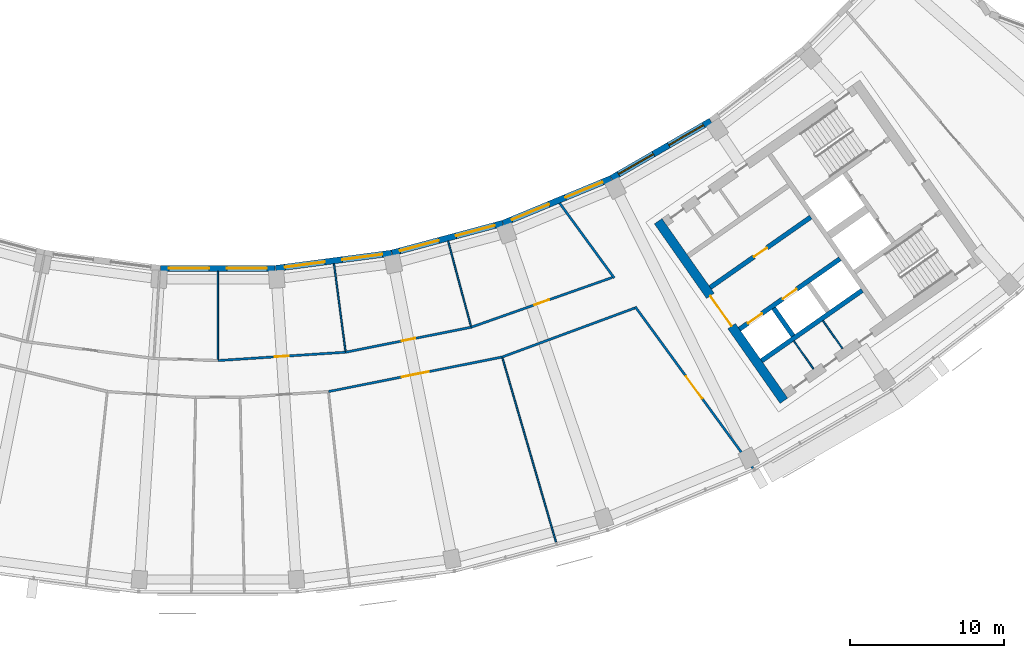
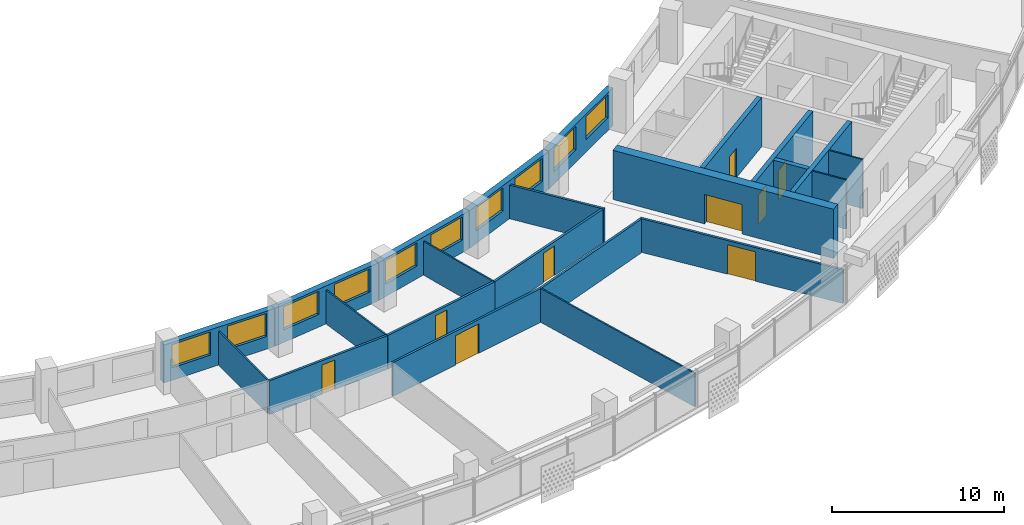
# One storey, part 6 of 28: 23 walls, 10 windows, 9 doors, 19 openings.
"""IFC4 building model written with IfcOpenShell, lengths in metres."""

from ifc_helpers import new_model, si_unit, direction, frame, frame_2d, origin, place, context, subcontext, project, spatial, rectangle, extrude, material, layer, layer_set, type_object, element, fill, save


model = new_model("IFC4")

# Units and contexts
model_context = context("Model", 3, precision=1e-05, world=origin(), true_north=direction((0.0, 1.0)))
body_context = subcontext(model_context, "Body", "Model", "MODEL_VIEW")
ifc_project = project(units=[si_unit("LENGTHUNIT", "METRE"), si_unit("AREAUNIT", "SQUARE_METRE"), si_unit("VOLUMEUNIT", "CUBIC_METRE"), si_unit("PLANEANGLEUNIT", "RADIAN"), si_unit("MASSUNIT", "GRAM", prefix="KILO")], contexts=[model_context])

# Site, building, storey
site_placement = place(None, origin())
site = spatial("IfcSite", under=ifc_project, at=site_placement, CompositionType="ELEMENT")
building_placement = place(site_placement, origin())
building = spatial("IfcBuilding", under=site, at=building_placement, Name="Qamariyya Broadcast Tower", CompositionType="ELEMENT")
storey_placement = place(building_placement, frame((0.0, 0.0, 230.300048828125)))
storey = spatial("IfcBuildingStorey", under=building, at=storey_placement, Name="L55", CompositionType="ELEMENT", Elevation=230.300048828125)

# Wall, opening, door
ifc_material_1 = material(Name="Concrete C60/75", Category="concrete")
ifc_layer_1 = layer(ifc_material_1, 0.60009765625)
ifc_layer_set_1 = layer_set([ifc_layer_1], Name="Core wall 600 mm Concrete C60/75")
wall_type_1 = type_object("IfcWallType", Name="Core wall 600 mm Concrete C60/75", PredefinedType="SHEAR", material=ifc_layer_set_1)
wall_1_placement = place(storey_placement, frame((36.66748046875, -66.005126953125, 0.0), z_axis=(0.0, 0.0, 1.0), x_axis=(-0.573568499524, 0.819157601658, 0.0)))
wall_1 = element("IfcWall", 1, at=wall_1_placement, inside=storey, type_object=wall_type_1, Name="k-E-L55-WA", PredefinedType="SHEAR", context=body_context, shape_type="SweptSolid", body=[
    extrude(rectangle(XDim=14.19970703125, YDim=0.60009765625, at=frame_2d((7.099853515625, 0.0))), origin(), (0.0, 0.0, 1.0), 3.5),
])
opening_1_placement = place(wall_1_placement, frame((5.89990234375, 0.0, 0.0)))
opening_1 = element("IfcOpeningElement", 2, at=opening_1_placement, cuts=wall_1, Name="Opening KD3-E1", PredefinedType="OPENING", context=body_context, shape_type="SweptSolid", body=[
    extrude(rectangle(XDim=2.39990234375, YDim=2.10009765625, at=frame_2d((1.199951171875, 1.050048828125))), frame((0.0, 0.31005859375, 0.0), z_axis=(0.0, -1.0, 0.0), x_axis=(1.0, 0.0, 0.0)), (0.0, 0.0, 1.0), 0.6201171875),
])
ifc_material_2 = material(Name="Steel fire-resisting door leaf", Category="steel")
door_type_1 = type_object("IfcDoorType", Name="Lift lobby door KD3", OperationType="DOUBLE_DOOR_SINGLE_SWING", PredefinedType="DOOR", material=ifc_material_2)
door_1_placement = place(opening_1_placement, origin())
door_1 = element("IfcDoor", 3, at=door_1_placement, inside=storey, type_object=door_type_1, Name="k-E-L55-WA-D1", OperationType="DOUBLE_DOOR_SINGLE_SWING", OverallHeight=2.10009765625, OverallWidth=2.39990234375, PredefinedType="DOOR", context=body_context, shape_type="SweptSolid", body=[
    extrude(rectangle(XDim=2.39990234375, YDim=2.10009765625, at=frame_2d((1.199951171875, 1.050048828125))), frame((0.0, 0.02490234375, 0.0), z_axis=(0.0, -1.0, 0.0), x_axis=(1.0, 0.0, 0.0)), (0.0, 0.0, 1.0), 0.050048828125),
])
fill(opening_1, door_1)

ifc_material_3 = material(Name="Gypsum board partition")
ifc_layer_2 = layer(ifc_material_3, 0.14990234375)
ifc_layer_set_2 = layer_set([ifc_layer_2], Name="Corridor partition 150 EI 60")
wall_type_2 = type_object("IfcWallType", Name="Corridor partition 150 EI 60", PredefinedType="PARTITIONING", material=ifc_layer_set_2)
wall_2_placement = place(storey_placement, frame((0.0, -63.39990234375, 0.0), z_axis=(0.0, 0.0, 1.0), x_axis=(0.997860193426, 0.065383747038, 0.0)))
wall_2 = element("IfcWall", 4, at=wall_2_placement, inside=storey, type_object=wall_type_2, Name="Partition L55-018", PredefinedType="PARTITIONING", context=body_context, shape_type="SweptSolid", body=[
    extrude(rectangle(XDim=8.293212890625, YDim=0.14990234375, at=frame_2d((4.146484375, 0.0))), origin(), (0.0, 0.0, 1.0), 2.39990234375),
])
opening_2_placement = place(wall_2_placement, frame((3.696533203125, 0.0, 0.0)))
opening_2 = element("IfcOpeningElement", 5, at=opening_2_placement, cuts=wall_2, Name="Opening L55-D12", PredefinedType="OPENING", context=body_context, shape_type="SweptSolid", body=[
    extrude(rectangle(XDim=0.89990234375, YDim=2.10009765625, at=frame_2d((0.449951171875, 1.050048828125))), frame((0.0, 0.0849609375, 0.0), z_axis=(0.0, -1.0, 0.0), x_axis=(1.0, 0.0, 0.0)), (0.0, 0.0, 1.0), 0.169921875),
])
ifc_material_4 = material(Name="Timber fire door leaf", Category="wood")
door_type_2 = type_object("IfcDoorType", Name="Fire door 900 x 2100 FD60", OperationType="NOTDEFINED", PredefinedType="DOOR", material=ifc_material_4)
door_2_placement = place(opening_2_placement, origin())
door_2 = element("IfcDoor", 6, at=door_2_placement, inside=storey, type_object=door_type_2, Name="Door L55-D12", OperationType="SINGLE_SWING_RIGHT", OverallHeight=2.10009765625, OverallWidth=0.89990234375, PredefinedType="DOOR", context=body_context, shape_type="SweptSolid", body=[
    extrude(rectangle(XDim=0.89990234375, YDim=2.10009765625, at=frame_2d((0.449951171875, 1.050048828125))), frame((0.0, 0.02490234375, 0.0), z_axis=(0.0, -1.0, 0.0), x_axis=(1.0, 0.0, 0.0)), (0.0, 0.0, 1.0), 0.050048828125),
])
fill(opening_2, door_2)

wall_3_placement = place(storey_placement, frame((18.41455078125, -63.170654296875, 0.0), z_axis=(0.0, 0.0, 1.0), x_axis=(-0.980782303344, -0.195105288106, 0.0)))
wall_3 = element("IfcWall", 7, at=wall_3_placement, inside=storey, type_object=wall_type_2, Name="Partition L55-022", PredefinedType="PARTITIONING", context=body_context, shape_type="SweptSolid", body=[
    extrude(rectangle(XDim=11.473388671875, YDim=0.14990234375, at=frame_2d((5.73681640625, 0.0))), origin(), (0.0, 0.0, 1.0), 2.39990234375),
])
opening_3_placement = place(wall_3_placement, frame((4.836669921875, 0.0, 0.0)))
opening_3 = element("IfcOpeningElement", 8, at=opening_3_placement, cuts=wall_3, Name="Opening L55-D06", PredefinedType="OPENING", context=body_context, shape_type="SweptSolid", body=[
    extrude(rectangle(XDim=1.800048828125, YDim=2.10009765625, at=frame_2d((0.89990234375, 1.050048828125))), frame((0.0, 0.0849609375, 0.0), z_axis=(0.0, -1.0, 0.0), x_axis=(1.0, 0.0, 0.0)), (0.0, 0.0, 1.0), 0.169921875),
])
door_type_3 = type_object("IfcDoorType", Name="Double fire door 1800 x 2100 FD60", OperationType="NOTDEFINED", PredefinedType="DOOR", material=ifc_material_4)
door_3_placement = place(opening_3_placement, origin())
door_3 = element("IfcDoor", 9, at=door_3_placement, inside=storey, type_object=door_type_3, Name="Door L55-D06", OperationType="DOUBLE_DOOR_SINGLE_SWING", OverallHeight=2.10009765625, OverallWidth=1.800048828125, PredefinedType="DOOR", context=body_context, shape_type="SweptSolid", body=[
    extrude(rectangle(XDim=1.800048828125, YDim=2.10009765625, at=frame_2d((0.89990234375, 1.050048828125))), frame((0.0, 0.02490234375, 0.0), z_axis=(0.0, -1.0, 0.0), x_axis=(1.0, 0.0, 0.0)), (0.0, 0.0, 1.0), 0.050048828125),
])
fill(opening_3, door_3)

wall_4_placement = place(storey_placement, frame((8.275390625, -62.857666015625, 0.0), z_axis=(0.0, 0.0, 1.0), x_axis=(0.98078508005, 0.195091329256, 0.0)))
wall_4 = element("IfcWall", 10, at=wall_4_placement, inside=storey, type_object=wall_type_2, Name="Partition L55-024", PredefinedType="PARTITIONING", context=body_context, shape_type="SweptSolid", body=[
    extrude(rectangle(XDim=8.293212890625, YDim=0.14990234375, at=frame_2d((4.146484375, 0.0))), origin(), (0.0, 0.0, 1.0), 2.39990234375),
])
opening_4_placement = place(wall_4_placement, frame((3.696533203125, 0.0, 0.0)))
opening_4 = element("IfcOpeningElement", 11, at=opening_4_placement, cuts=wall_4, Name="Opening L55-D13", PredefinedType="OPENING", context=body_context, shape_type="SweptSolid", body=[
    extrude(rectangle(XDim=0.89990234375, YDim=2.10009765625, at=frame_2d((0.449951171875, 1.050048828125))), frame((0.0, 0.0849609375, 0.0), z_axis=(0.0, -1.0, 0.0), x_axis=(1.0, 0.0, 0.0)), (0.0, 0.0, 1.0), 0.169921875),
])
door_4_placement = place(opening_4_placement, origin())
door_4 = element("IfcDoor", 12, at=door_4_placement, inside=storey, type_object=door_type_2, Name="Door L55-D13", OperationType="SINGLE_SWING_RIGHT", OverallHeight=2.10009765625, OverallWidth=0.89990234375, PredefinedType="DOOR", context=body_context, shape_type="SweptSolid", body=[
    extrude(rectangle(XDim=0.89990234375, YDim=2.10009765625, at=frame_2d((0.449951171875, 1.050048828125))), frame((0.0, 0.02490234375, 0.0), z_axis=(0.0, -1.0, 0.0), x_axis=(1.0, 0.0, 0.0)), (0.0, 0.0, 1.0), 0.050048828125),
])
fill(opening_4, door_4)

wall_5_placement = place(storey_placement, frame((16.4091796875, -61.23974609375, 0.0), z_axis=(0.0, 0.0, 1.0), x_axis=(0.943087830275, 0.332543748081, 0.0)))
wall_5 = element("IfcWall", 13, at=wall_5_placement, inside=storey, type_object=wall_type_2, Name="Partition L55-027", PredefinedType="PARTITIONING", context=body_context, shape_type="SweptSolid", body=[
    extrude(rectangle(XDim=9.7041015625, YDim=0.14990234375, at=frame_2d((4.85205078125, 0.0))), origin(), (0.0, 0.0, 1.0), 2.39990234375),
])
opening_5_placement = place(wall_5_placement, frame((4.35205078125, 0.0, 0.0)))
opening_5 = element("IfcOpeningElement", 14, at=opening_5_placement, cuts=wall_5, Name="Opening L55-D14", PredefinedType="OPENING", context=body_context, shape_type="SweptSolid", body=[
    extrude(rectangle(XDim=1.0, YDim=2.10009765625, at=frame_2d((0.5, 1.050048828125))), frame((0.0, 0.0849609375, 0.0), z_axis=(0.0, -1.0, 0.0), x_axis=(1.0, 0.0, 0.0)), (0.0, 0.0, 1.0), 0.169921875),
])
door_type_4 = type_object("IfcDoorType", Name="Fire door 1000 x 2100 FD60", OperationType="NOTDEFINED", PredefinedType="DOOR", material=ifc_material_4)
door_5_placement = place(opening_5_placement, origin())
door_5 = element("IfcDoor", 15, at=door_5_placement, inside=storey, type_object=door_type_4, Name="Door L55-D14", OperationType="SINGLE_SWING_RIGHT", OverallHeight=2.10009765625, OverallWidth=1.0, PredefinedType="DOOR", context=body_context, shape_type="SweptSolid", body=[
    extrude(rectangle(XDim=1.0, YDim=2.10009765625, at=frame_2d((0.5, 1.050048828125))), frame((0.0, 0.02490234375, 0.0), z_axis=(0.0, -1.0, 0.0), x_axis=(1.0, 0.0, 0.0)), (0.0, 0.0, 1.0), 0.050048828125),
])
fill(opening_5, door_5)

# Walls
wall_6_placement = place(storey_placement, frame((18.41455078125, -63.170654296875, 0.0), z_axis=(0.0, 0.0, 1.0), x_axis=(0.938039704857, 0.34652779414, 0.0)))
element("IfcWall", 16, at=wall_6_placement, inside=storey, type_object=wall_type_2, Name="Partition L55-028", PredefinedType="PARTITIONING", context=body_context, shape_type="SweptSolid", body=[
    extrude(rectangle(XDim=9.160400390625, YDim=0.14990234375, at=frame_2d((4.580078125, 0.0))), origin(), (0.0, 0.0, 1.0), 2.39990234375),
])
wall_7_placement = place(storey_placement, frame((22.135498046875, -53.1943359375, 0.0), z_axis=(0.0, 0.0, 1.0), x_axis=(0.589297062476, -0.807916438846, 0.0)))
element("IfcWall", 17, at=wall_7_placement, inside=storey, type_object=wall_type_2, Name="Partition L55-029", PredefinedType="PARTITIONING", context=body_context, shape_type="SweptSolid", body=[
    extrude(rectangle(XDim=6.008056640625, YDim=0.14990234375, at=frame_2d((3.00390625, 0.0))), origin(), (0.0, 0.0, 1.0), 2.39990234375),
])

# Wall, opening, door
wall_8_placement = place(storey_placement, frame((34.668212890625, -70.37744140625, 0.0), z_axis=(0.0, 0.0, 1.0), x_axis=(-0.589273648147, 0.807933516819, 0.0)))
wall_8 = element("IfcWall", 18, at=wall_8_placement, inside=storey, type_object=wall_type_2, Name="Partition L55-031", PredefinedType="PARTITIONING", context=body_context, shape_type="SweptSolid", body=[
    extrude(rectangle(XDim=12.956298828125, YDim=0.14990234375, at=frame_2d((6.47802734375, 0.0))), origin(), (0.0, 0.0, 1.0), 2.39990234375),
])
opening_6_placement = place(wall_8_placement, frame((5.578125, 0.0, 0.0)))
opening_6 = element("IfcOpeningElement", 19, at=opening_6_placement, cuts=wall_8, Name="Opening L55-D07", PredefinedType="OPENING", context=body_context, shape_type="SweptSolid", body=[
    extrude(rectangle(XDim=1.800048828125, YDim=2.10009765625, at=frame_2d((0.89990234375, 1.050048828125))), frame((0.0, 0.0849609375, 0.0), z_axis=(0.0, -1.0, 0.0), x_axis=(1.0, 0.0, 0.0)), (0.0, 0.0, 1.0), 0.169921875),
])
door_6_placement = place(opening_6_placement, origin())
door_6 = element("IfcDoor", 20, at=door_6_placement, inside=storey, type_object=door_type_3, Name="Door L55-D07", OperationType="DOUBLE_DOOR_SINGLE_SWING", OverallHeight=2.10009765625, OverallWidth=1.800048828125, PredefinedType="DOOR", context=body_context, shape_type="SweptSolid", body=[
    extrude(rectangle(XDim=1.800048828125, YDim=2.10009765625, at=frame_2d((0.89990234375, 1.050048828125))), frame((0.0, 0.02490234375, 0.0), z_axis=(0.0, -1.0, 0.0), x_axis=(1.0, 0.0, 0.0)), (0.0, 0.0, 1.0), 0.050048828125),
])
fill(opening_6, door_6)

ifc_layer_3 = layer(ifc_material_1, 0.300048828125)
ifc_layer_set_3 = layer_set([ifc_layer_3], Name="Lift shaft wall 300 mm Concrete C60/75")
wall_type_3 = type_object("IfcWallType", Name="Lift shaft wall 300 mm Concrete C60/75", PredefinedType="SOLIDWALL", material=ifc_layer_set_3)
wall_9_placement = place(storey_placement, frame((31.89453125, -58.66552734375, 0.0), z_axis=(0.0, 0.0, 1.0), x_axis=(0.819166993208, 0.573555086491, 0.0)))
wall_9 = element("IfcWall", 21, at=wall_9_placement, inside=storey, type_object=wall_type_3, Name="k-E-L55-NF0", PredefinedType="SOLIDWALL", context=body_context, shape_type="SweptSolid", body=[
    extrude(rectangle(XDim=7.9501953125, YDim=0.300048828125, at=frame_2d((3.97509765625, 0.0))), origin(), (0.0, 0.0, 1.0), 3.5),
])
opening_7_placement = place(wall_9_placement, frame((3.47509765625, 0.0, 0.0)))
opening_7 = element("IfcOpeningElement", 22, at=opening_7_placement, cuts=wall_9, Name="Opening KD6-E1", PredefinedType="OPENING", context=body_context, shape_type="SweptSolid", body=[
    extrude(rectangle(XDim=1.0, YDim=2.10009765625, at=frame_2d((0.5, 1.050048828125))), frame((0.0, 0.159912109375, 0.0), z_axis=(0.0, -1.0, 0.0), x_axis=(1.0, 0.0, 0.0)), (0.0, 0.0, 1.0), 0.320068359375),
])
door_type_5 = type_object("IfcDoorType", Name="Core room door KD6", OperationType="SINGLE_SWING_LEFT", PredefinedType="DOOR", material=ifc_material_2)
door_7_placement = place(opening_7_placement, origin())
door_7 = element("IfcDoor", 23, at=door_7_placement, inside=storey, type_object=door_type_5, Name="k-E-L55-NF0-D2", OperationType="SINGLE_SWING_RIGHT", OverallHeight=2.10009765625, OverallWidth=1.0, PredefinedType="DOOR", context=body_context, shape_type="SweptSolid", body=[
    extrude(rectangle(XDim=1.0, YDim=2.10009765625, at=frame_2d((0.5, 1.050048828125))), frame((0.0, 0.02490234375, 0.0), z_axis=(0.0, -1.0, 0.0), x_axis=(1.0, 0.0, 0.0)), (0.0, 0.0, 1.0), 0.050048828125),
])
fill(opening_7, door_7)

# Wall, openings, doors
wall_10_placement = place(storey_placement, frame((33.787353515625, -61.368896484375, 0.0), z_axis=(0.0, 0.0, 1.0), x_axis=(0.819152564888, 0.573575692858, 0.0)))
wall_10 = element("IfcWall", 24, at=wall_10_placement, inside=storey, type_object=wall_type_3, Name="k-E-L55-SF0", PredefinedType="SOLIDWALL", context=body_context, shape_type="SweptSolid", body=[
    extrude(rectangle(XDim=7.9501953125, YDim=0.300048828125, at=frame_2d((3.97509765625, 0.0))), origin(), (0.0, 0.0, 1.0), 3.5),
])
opening_8_placement = place(wall_10_placement, frame((0.675048828125, 0.0, 0.0)))
opening_8 = element("IfcOpeningElement", 25, at=opening_8_placement, cuts=wall_10, Name="Opening LD", PredefinedType="OPENING", context=body_context, shape_type="SweptSolid", body=[
    extrude(rectangle(XDim=1.10009765625, YDim=2.10009765625, at=frame_2d((0.550048828125, 1.050048828125))), frame((0.0, 0.159912109375, 0.0), z_axis=(0.0, -1.0, 0.0), x_axis=(1.0, 0.0, 0.0)), (0.0, 0.0, 1.0), 0.320068359375),
])
opening_9_placement = place(wall_10_placement, frame((3.425048828125, 0.0, 0.0)))
opening_9 = element("IfcOpeningElement", 26, at=opening_9_placement, cuts=wall_10, Name="Opening LD", PredefinedType="OPENING", context=body_context, shape_type="SweptSolid", body=[
    extrude(rectangle(XDim=1.10009765625, YDim=2.10009765625, at=frame_2d((0.550048828125, 1.050048828125))), frame((0.0, 0.159912109375, 0.0), z_axis=(0.0, -1.0, 0.0), x_axis=(1.0, 0.0, 0.0)), (0.0, 0.0, 1.0), 0.320068359375),
])
door_type_6 = type_object("IfcDoorType", Name="Lift landing door LD", OperationType="DOUBLE_DOOR_SLIDING", PredefinedType="DOOR", material=ifc_material_2)
door_8_placement = place(opening_8_placement, origin())
door_8 = element("IfcDoor", 27, at=door_8_placement, inside=storey, type_object=door_type_6, Name="k-E-L55-SF0-D3", OperationType="DOUBLE_DOOR_SLIDING", OverallHeight=2.10009765625, OverallWidth=1.10009765625, PredefinedType="DOOR", context=body_context, shape_type="SweptSolid", body=[
    extrude(rectangle(XDim=1.10009765625, YDim=2.10009765625, at=frame_2d((0.550048828125, 1.050048828125))), frame((0.0, 0.02490234375, 0.0), z_axis=(0.0, -1.0, 0.0), x_axis=(1.0, 0.0, 0.0)), (0.0, 0.0, 1.0), 0.050048828125),
])
fill(opening_8, door_8)
door_9_placement = place(opening_9_placement, origin())
door_9 = element("IfcDoor", 28, at=door_9_placement, inside=storey, type_object=door_type_6, Name="k-E-L55-SF0-D4", OperationType="DOUBLE_DOOR_SLIDING", OverallHeight=2.10009765625, OverallWidth=1.10009765625, PredefinedType="DOOR", context=body_context, shape_type="SweptSolid", body=[
    extrude(rectangle(XDim=1.10009765625, YDim=2.10009765625, at=frame_2d((0.550048828125, 1.050048828125))), frame((0.0, 0.02490234375, 0.0), z_axis=(0.0, -1.0, 0.0), x_axis=(1.0, 0.0, 0.0)), (0.0, 0.0, 1.0), 0.050048828125),
])
fill(opening_9, door_9)

# Walls
wall_11_placement = place(storey_placement, frame((35.22119140625, -63.41650390625, 0.0), z_axis=(0.0, 0.0, 1.0), x_axis=(0.819166993208, 0.573555086491, 0.0)))
element("IfcWall", 29, at=wall_11_placement, inside=storey, type_object=wall_type_3, Name="k-E-L55-SB0", PredefinedType="SOLIDWALL", context=body_context, shape_type="SweptSolid", body=[
    extrude(rectangle(XDim=7.9501953125, YDim=0.300048828125, at=frame_2d((3.97509765625, 0.0))), origin(), (0.0, 0.0, 1.0), 3.5),
])
wall_12_placement = place(storey_placement, frame((36.003173828125, -60.000244140625, 0.0), z_axis=(0.0, 0.0, 1.0), x_axis=(0.573581496053, -0.819148501424, 0.0)))
element("IfcWall", 30, at=wall_12_placement, inside=storey, type_object=wall_type_3, Name="k-E-L55-SD0", PredefinedType="SOLIDWALL", context=body_context, shape_type="SweptSolid", body=[
    extrude(rectangle(XDim=2.2001953125, YDim=0.300048828125, at=frame_2d((1.10009765625, 0.0))), origin(), (0.0, 0.0, 1.0), 3.5),
])
ifc_layer_4 = layer(ifc_material_3, 0.10009765625)
ifc_layer_set_4 = layer_set([ifc_layer_4], Name="Partition 100")
wall_type_4 = type_object("IfcWallType", Name="Partition 100", PredefinedType="PARTITIONING", material=ifc_layer_set_4)
for number, where, z_axis, x_axis, name in (
    (31, (0.0, -57.627197265625, 0.0), (0.0, 0.0, 1.0), (0.0, -1.0, 0.0), "Partition L55-019"),
    (32, (7.52197265625, -57.13427734375, 0.0), (0.0, 0.0, 1.0), (0.130518800749, -0.991445834451, 0.0), "Partition L55-023"),
    (33, (14.9150390625, -55.66357421875, 0.0), (0.0, 0.0, 1.0), (0.258803907589, -0.965929882247, 0.0), "Partition L55-026"),
):
    element("IfcWall", number, at=place(storey_placement, frame(where, z_axis=z_axis, x_axis=x_axis)), inside=storey, type_object=wall_type_4, Name=name, PredefinedType="PARTITIONING", context=body_context, shape_type="SweptSolid", body=[
        extrude(rectangle(XDim=5.69775390625, YDim=0.10009765625, at=frame_2d((2.848876953125, 0.0))), origin(), (0.0, 0.0, 1.0), 2.39990234375),
    ])
wall_13_placement = place(storey_placement, frame((21.912841796875, -75.171630859375, 0.0), z_axis=(0.0, 0.0, 1.0), x_axis=(-0.27985286912, 0.96004290094, 0.0)))
element("IfcWall", 34, at=wall_13_placement, inside=storey, type_object=wall_type_4, Name="Partition L55-030", PredefinedType="PARTITIONING", context=body_context, shape_type="SweptSolid", body=[
    extrude(rectangle(XDim=12.425537109375, YDim=0.10009765625, at=frame_2d((6.212890625, 0.0))), origin(), (0.0, 0.0, 1.0), 2.39990234375),
])
ifc_material_5 = material(Name="Fire-rated gypsum shaft liner on steel studs", Category="steel")
ifc_layer_5 = layer(ifc_material_5, 0.10009765625)
ifc_layer_set_5 = layer_set([ifc_layer_5], Name="Riser wall 100 mm")
wall_type_5 = type_object("IfcWallType", Name="Riser wall 100 mm", PredefinedType="PLUMBINGWALL", material=ifc_layer_set_5)
wall_14_placement = place(storey_placement, frame((37.314208984375, -62.13427734375, 0.0), z_axis=(0.0, 0.0, 1.0), x_axis=(0.573633636671, -0.819111989218, 0.0)))
element("IfcWall", 35, at=wall_14_placement, inside=storey, type_object=wall_type_5, Name="k-E-L55-SP245", PredefinedType="PLUMBINGWALL", context=body_context, shape_type="SweptSolid", body=[
    extrude(rectangle(XDim=2.199951171875, YDim=0.10009765625, at=frame_2d((1.10009765625, 0.0))), origin(), (0.0, 0.0, 1.0), 3.5),
])
wall_15_placement = place(storey_placement, frame((39.1982421875, -60.81494140625, 0.0), z_axis=(0.0, 0.0, 1.0), x_axis=(0.573581496053, -0.819148501424, 0.0)))
element("IfcWall", 36, at=wall_15_placement, inside=storey, type_object=wall_type_5, Name="k-E-L55-SP475", PredefinedType="PLUMBINGWALL", context=body_context, shape_type="SweptSolid", body=[
    extrude(rectangle(XDim=2.2001953125, YDim=0.10009765625, at=frame_2d((1.10009765625, 0.0))), origin(), (0.0, 0.0, 1.0), 3.5),
])

# Wall, openings, windows
ifc_material_6 = material(Name="Terracotta", Category="masonry")
ifc_layer_6 = layer(ifc_material_6, 0.39990234375)
ifc_layer_set_6 = layer_set([ifc_layer_6], Name="Terracotta clad wall 400")
wall_type_6 = type_object("IfcWallType", Name="Terracotta clad wall 400", PredefinedType="SOLIDWALL", material=ifc_layer_set_6)
wall_16_placement = place(storey_placement, frame((18.449951171875, -54.50927734375, 0.0), z_axis=(0.0, 0.0, 1.0), x_axis=(-0.965924866111, -0.25882262851, 0.0)))
wall_16 = element("IfcWall", 37, at=wall_16_placement, inside=storey, type_object=wall_type_6, Name="e-wl-L55-in100", PredefinedType="SOLIDWALL", context=body_context, shape_type="SweptSolid", body=[
    extrude(rectangle(XDim=7.426513671875, YDim=0.39990234375, at=frame_2d((3.71337890625, 0.0))), origin(), (0.0, 0.0, 1.0), 2.699951171875),
])
opening_10_placement = place(wall_16_placement, frame((4.28857421875, 0.0, 0.89990234375)))
opening_10 = element("IfcOpeningElement", 38, at=opening_10_placement, cuts=wall_16, Name="Opening W1", PredefinedType="OPENING", context=body_context, shape_type="SweptSolid", body=[
    extrude(rectangle(XDim=2.60009765625, YDim=1.64990234375, at=frame_2d((1.300048828125, 0.824951171875))), frame((0.0, 0.2099609375, 0.0), z_axis=(0.0, -1.0, 0.0), x_axis=(1.0, 0.0, 0.0)), (0.0, 0.0, 1.0), 0.419921875),
])
opening_11_placement = place(wall_16_placement, frame((0.537841796875, 0.0, 0.89990234375)))
opening_11 = element("IfcOpeningElement", 39, at=opening_11_placement, cuts=wall_16, Name="Opening W1", PredefinedType="OPENING", context=body_context, shape_type="SweptSolid", body=[
    extrude(rectangle(XDim=2.60009765625, YDim=1.64990234375, at=frame_2d((1.300048828125, 0.824951171875))), frame((0.0, 0.2099609375, 0.0), z_axis=(0.0, -1.0, 0.0), x_axis=(1.0, 0.0, 0.0)), (0.0, 0.0, 1.0), 0.419921875),
])
ifc_material_7 = material(Name="Clear low-e double glazed unit in aluminium frame", Category="aluminium")
window_type = type_object("IfcWindowType", Name="Ribbon window 2600 x 1650", PartitioningType="SINGLE_PANEL", PredefinedType="WINDOW", material=ifc_material_7)
window_1_placement = place(opening_10_placement, origin())
window_1 = element("IfcWindow", 40, at=window_1_placement, inside=storey, type_object=window_type, Name="e-w-L55-in10-0", OverallHeight=1.64990234375, OverallWidth=2.60009765625, PartitioningType="SINGLE_PANEL", PredefinedType="WINDOW", context=body_context, shape_type="SweptSolid", body=[
    extrude(rectangle(XDim=2.60009765625, YDim=1.64990234375, at=frame_2d((1.300048828125, 0.824951171875))), frame((0.0, 0.030029296875, 0.0), z_axis=(0.0, -1.0, 0.0), x_axis=(1.0, 0.0, 0.0)), (0.0, 0.0, 1.0), 0.06005859375),
])
fill(opening_10, window_1)
window_2_placement = place(opening_11_placement, origin())
window_2 = element("IfcWindow", 41, at=window_2_placement, inside=storey, type_object=window_type, Name="e-w-L55-in10-1", OverallHeight=1.64990234375, OverallWidth=2.60009765625, PartitioningType="SINGLE_PANEL", PredefinedType="WINDOW", context=body_context, shape_type="SweptSolid", body=[
    extrude(rectangle(XDim=2.60009765625, YDim=1.64990234375, at=frame_2d((1.300048828125, 0.824951171875))), frame((0.0, 0.030029296875, 0.0), z_axis=(0.0, -1.0, 0.0), x_axis=(1.0, 0.0, 0.0)), (0.0, 0.0, 1.0), 0.06005859375),
])
fill(opening_11, window_2)

wall_17_placement = place(storey_placement, frame((25.47705078125, -51.60595703125, 0.0), z_axis=(0.0, 0.0, 1.0), x_axis=(-0.923884115122, -0.382672368777, 0.0)))
wall_17 = element("IfcWall", 42, at=wall_17_placement, inside=storey, type_object=wall_type_6, Name="e-wl-L55-in110", PredefinedType="SOLIDWALL", context=body_context, shape_type="SweptSolid", body=[
    extrude(rectangle(XDim=7.578125, YDim=0.39990234375, at=frame_2d((3.7890625, 0.0))), origin(), (0.0, 0.0, 1.0), 2.699951171875),
])
opening_12_placement = place(wall_17_placement, frame((4.364501953125, 0.0, 0.89990234375)))
opening_12 = element("IfcOpeningElement", 43, at=opening_12_placement, cuts=wall_17, Name="Opening W1", PredefinedType="OPENING", context=body_context, shape_type="SweptSolid", body=[
    extrude(rectangle(XDim=2.60009765625, YDim=1.64990234375, at=frame_2d((1.300048828125, 0.824951171875))), frame((0.0, 0.2099609375, 0.0), z_axis=(0.0, -1.0, 0.0), x_axis=(1.0, 0.0, 0.0)), (0.0, 0.0, 1.0), 0.419921875),
])
opening_13_placement = place(wall_17_placement, frame((0.613525390625, 0.0, 0.89990234375)))
opening_13 = element("IfcOpeningElement", 44, at=opening_13_placement, cuts=wall_17, Name="Opening W1", PredefinedType="OPENING", context=body_context, shape_type="SweptSolid", body=[
    extrude(rectangle(XDim=2.60009765625, YDim=1.64990234375, at=frame_2d((1.300048828125, 0.824951171875))), frame((0.0, 0.2099609375, 0.0), z_axis=(0.0, -1.0, 0.0), x_axis=(1.0, 0.0, 0.0)), (0.0, 0.0, 1.0), 0.419921875),
])
window_3_placement = place(opening_12_placement, origin())
window_3 = element("IfcWindow", 45, at=window_3_placement, inside=storey, type_object=window_type, Name="e-w-L55-in11-0", OverallHeight=1.64990234375, OverallWidth=2.60009765625, PartitioningType="SINGLE_PANEL", PredefinedType="WINDOW", context=body_context, shape_type="SweptSolid", body=[
    extrude(rectangle(XDim=2.60009765625, YDim=1.64990234375, at=frame_2d((1.300048828125, 0.824951171875))), frame((0.0, 0.030029296875, 0.0), z_axis=(0.0, -1.0, 0.0), x_axis=(1.0, 0.0, 0.0)), (0.0, 0.0, 1.0), 0.06005859375),
])
fill(opening_12, window_3)
window_4_placement = place(opening_13_placement, origin())
window_4 = element("IfcWindow", 46, at=window_4_placement, inside=storey, type_object=window_type, Name="e-w-L55-in11-1", OverallHeight=1.64990234375, OverallWidth=2.60009765625, PartitioningType="SINGLE_PANEL", PredefinedType="WINDOW", context=body_context, shape_type="SweptSolid", body=[
    extrude(rectangle(XDim=2.60009765625, YDim=1.64990234375, at=frame_2d((1.300048828125, 0.824951171875))), frame((0.0, 0.030029296875, 0.0), z_axis=(0.0, -1.0, 0.0), x_axis=(1.0, 0.0, 0.0)), (0.0, 0.0, 1.0), 0.06005859375),
])
fill(opening_13, window_4)

wall_18_placement = place(storey_placement, frame((31.929443359375, -47.876708984375, 0.0), z_axis=(0.0, 0.0, 1.0), x_axis=(-0.866021353871, -0.500007014591, 0.0)))
wall_18 = element("IfcWall", 47, at=wall_18_placement, inside=storey, type_object=wall_type_6, Name="e-wl-L55-in120", PredefinedType="SOLIDWALL", context=body_context, shape_type="SweptSolid", body=[
    extrude(rectangle(XDim=7.4267578125, YDim=0.39990234375, at=frame_2d((3.71337890625, 0.0))), origin(), (0.0, 0.0, 1.0), 2.699951171875),
])
opening_14_placement = place(wall_18_placement, frame((4.28857421875, 0.0, 0.89990234375)))
opening_14 = element("IfcOpeningElement", 48, at=opening_14_placement, cuts=wall_18, Name="Opening W1", PredefinedType="OPENING", context=body_context, shape_type="SweptSolid", body=[
    extrude(rectangle(XDim=2.60009765625, YDim=1.64990234375, at=frame_2d((1.300048828125, 0.824951171875))), frame((0.0, 0.2099609375, 0.0), z_axis=(0.0, -1.0, 0.0), x_axis=(1.0, 0.0, 0.0)), (0.0, 0.0, 1.0), 0.419921875),
])
opening_15_placement = place(wall_18_placement, frame((0.537841796875, 0.0, 0.89990234375)))
opening_15 = element("IfcOpeningElement", 49, at=opening_15_placement, cuts=wall_18, Name="Opening W1", PredefinedType="OPENING", context=body_context, shape_type="SweptSolid", body=[
    extrude(rectangle(XDim=2.60009765625, YDim=1.64990234375, at=frame_2d((1.300048828125, 0.824951171875))), frame((0.0, 0.2099609375, 0.0), z_axis=(0.0, -1.0, 0.0), x_axis=(1.0, 0.0, 0.0)), (0.0, 0.0, 1.0), 0.419921875),
])
window_5_placement = place(opening_14_placement, origin())
window_5 = element("IfcWindow", 50, at=window_5_placement, inside=storey, type_object=window_type, Name="e-w-L55-in12-0", OverallHeight=1.64990234375, OverallWidth=2.60009765625, PartitioningType="SINGLE_PANEL", PredefinedType="WINDOW", context=body_context, shape_type="SweptSolid", body=[
    extrude(rectangle(XDim=2.60009765625, YDim=1.64990234375, at=frame_2d((1.300048828125, 0.824951171875))), frame((0.0, 0.030029296875, 0.0), z_axis=(0.0, -1.0, 0.0), x_axis=(1.0, 0.0, 0.0)), (0.0, 0.0, 1.0), 0.06005859375),
])
fill(opening_14, window_5)
window_6_placement = place(opening_15_placement, origin())
window_6 = element("IfcWindow", 51, at=window_6_placement, inside=storey, type_object=window_type, Name="e-w-L55-in12-1", OverallHeight=1.64990234375, OverallWidth=2.60009765625, PartitioningType="SINGLE_PANEL", PredefinedType="WINDOW", context=body_context, shape_type="SweptSolid", body=[
    extrude(rectangle(XDim=2.60009765625, YDim=1.64990234375, at=frame_2d((1.300048828125, 0.824951171875))), frame((0.0, 0.030029296875, 0.0), z_axis=(0.0, -1.0, 0.0), x_axis=(1.0, 0.0, 0.0)), (0.0, 0.0, 1.0), 0.06005859375),
])
fill(opening_15, window_6)

wall_19_placement = place(storey_placement, frame((3.713134765625, -57.42724609375, 0.0), z_axis=(0.0, 0.0, 1.0), x_axis=(-1.0, 0.0, 0.0)))
wall_19 = element("IfcWall", 52, at=wall_19_placement, inside=storey, type_object=wall_type_6, Name="e-wl-L55-in80", PredefinedType="SOLIDWALL", context=body_context, shape_type="SweptSolid", body=[
    extrude(rectangle(XDim=7.42626953125, YDim=0.39990234375, at=frame_2d((3.713134765625, 0.0))), origin(), (0.0, 0.0, 1.0), 2.699951171875),
])
opening_16_placement = place(wall_19_placement, frame((4.28857421875, 0.0, 0.89990234375)))
opening_16 = element("IfcOpeningElement", 53, at=opening_16_placement, cuts=wall_19, Name="Opening W1", PredefinedType="OPENING", context=body_context, shape_type="SweptSolid", body=[
    extrude(rectangle(XDim=2.60009765625, YDim=1.64990234375, at=frame_2d((1.300048828125, 0.824951171875))), frame((0.0, 0.2099609375, 0.0), z_axis=(0.0, -1.0, 0.0), x_axis=(1.0, 0.0, 0.0)), (0.0, 0.0, 1.0), 0.419921875),
])
opening_17_placement = place(wall_19_placement, frame((0.537841796875, 0.0, 0.89990234375)))
opening_17 = element("IfcOpeningElement", 54, at=opening_17_placement, cuts=wall_19, Name="Opening W1", PredefinedType="OPENING", context=body_context, shape_type="SweptSolid", body=[
    extrude(rectangle(XDim=2.60009765625, YDim=1.64990234375, at=frame_2d((1.300048828125, 0.824951171875))), frame((0.0, 0.2099609375, 0.0), z_axis=(0.0, -1.0, 0.0), x_axis=(1.0, 0.0, 0.0)), (0.0, 0.0, 1.0), 0.419921875),
])
window_7_placement = place(opening_16_placement, origin())
window_7 = element("IfcWindow", 55, at=window_7_placement, inside=storey, type_object=window_type, Name="e-w-L55-in08-0", OverallHeight=1.64990234375, OverallWidth=2.60009765625, PartitioningType="SINGLE_PANEL", PredefinedType="WINDOW", context=body_context, shape_type="SweptSolid", body=[
    extrude(rectangle(XDim=2.60009765625, YDim=1.64990234375, at=frame_2d((1.300048828125, 0.824951171875))), frame((0.0, 0.030029296875, 0.0), z_axis=(0.0, -1.0, 0.0), x_axis=(1.0, 0.0, 0.0)), (0.0, 0.0, 1.0), 0.06005859375),
])
fill(opening_16, window_7)
window_8_placement = place(opening_17_placement, origin())
window_8 = element("IfcWindow", 56, at=window_8_placement, inside=storey, type_object=window_type, Name="e-w-L55-in08-1", OverallHeight=1.64990234375, OverallWidth=2.60009765625, PartitioningType="SINGLE_PANEL", PredefinedType="WINDOW", context=body_context, shape_type="SweptSolid", body=[
    extrude(rectangle(XDim=2.60009765625, YDim=1.64990234375, at=frame_2d((1.300048828125, 0.824951171875))), frame((0.0, 0.030029296875, 0.0), z_axis=(0.0, -1.0, 0.0), x_axis=(1.0, 0.0, 0.0)), (0.0, 0.0, 1.0), 0.06005859375),
])
fill(opening_17, window_8)

wall_20_placement = place(storey_placement, frame((11.252197265625, -56.44140625, 0.0), z_axis=(0.0, 0.0, 1.0), x_axis=(-0.991446288508, -0.130515351599, 0.0)))
wall_20 = element("IfcWall", 57, at=wall_20_placement, inside=storey, type_object=wall_type_6, Name="e-wl-L55-in90", PredefinedType="SOLIDWALL", context=body_context, shape_type="SweptSolid", body=[
    extrude(rectangle(XDim=7.57763671875, YDim=0.39990234375, at=frame_2d((3.788818359375, 0.0))), origin(), (0.0, 0.0, 1.0), 2.699951171875),
])
opening_18_placement = place(wall_20_placement, frame((4.364501953125, 0.0, 0.89990234375)))
opening_18 = element("IfcOpeningElement", 58, at=opening_18_placement, cuts=wall_20, Name="Opening W1", PredefinedType="OPENING", context=body_context, shape_type="SweptSolid", body=[
    extrude(rectangle(XDim=2.60009765625, YDim=1.64990234375, at=frame_2d((1.300048828125, 0.824951171875))), frame((0.0, 0.2099609375, 0.0), z_axis=(0.0, -1.0, 0.0), x_axis=(1.0, 0.0, 0.0)), (0.0, 0.0, 1.0), 0.419921875),
])
opening_19_placement = place(wall_20_placement, frame((0.613525390625, 0.0, 0.89990234375)))
opening_19 = element("IfcOpeningElement", 59, at=opening_19_placement, cuts=wall_20, Name="Opening W1", PredefinedType="OPENING", context=body_context, shape_type="SweptSolid", body=[
    extrude(rectangle(XDim=2.60009765625, YDim=1.64990234375, at=frame_2d((1.300048828125, 0.824951171875))), frame((0.0, 0.2099609375, 0.0), z_axis=(0.0, -1.0, 0.0), x_axis=(1.0, 0.0, 0.0)), (0.0, 0.0, 1.0), 0.419921875),
])
window_9_placement = place(opening_18_placement, origin())
window_9 = element("IfcWindow", 60, at=window_9_placement, inside=storey, type_object=window_type, Name="e-w-L55-in09-0", OverallHeight=1.64990234375, OverallWidth=2.60009765625, PartitioningType="SINGLE_PANEL", PredefinedType="WINDOW", context=body_context, shape_type="SweptSolid", body=[
    extrude(rectangle(XDim=2.60009765625, YDim=1.64990234375, at=frame_2d((1.300048828125, 0.824951171875))), frame((0.0, 0.030029296875, 0.0), z_axis=(0.0, -1.0, 0.0), x_axis=(1.0, 0.0, 0.0)), (0.0, 0.0, 1.0), 0.06005859375),
])
fill(opening_18, window_9)
window_10_placement = place(opening_19_placement, origin())
window_10 = element("IfcWindow", 61, at=window_10_placement, inside=storey, type_object=window_type, Name="e-w-L55-in09-1", OverallHeight=1.64990234375, OverallWidth=2.60009765625, PartitioningType="SINGLE_PANEL", PredefinedType="WINDOW", context=body_context, shape_type="SweptSolid", body=[
    extrude(rectangle(XDim=2.60009765625, YDim=1.64990234375, at=frame_2d((1.300048828125, 0.824951171875))), frame((0.0, 0.030029296875, 0.0), z_axis=(0.0, -1.0, 0.0), x_axis=(1.0, 0.0, 0.0)), (0.0, 0.0, 1.0), 0.06005859375),
])
fill(opening_19, window_10)

save(model, "model.ifc")
